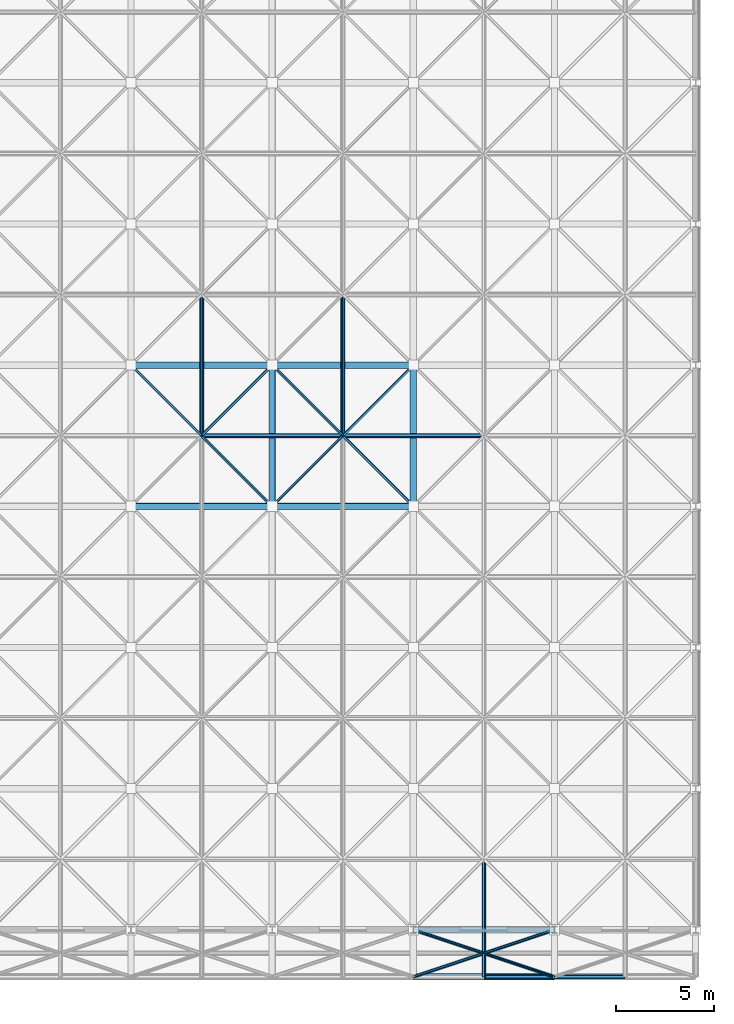
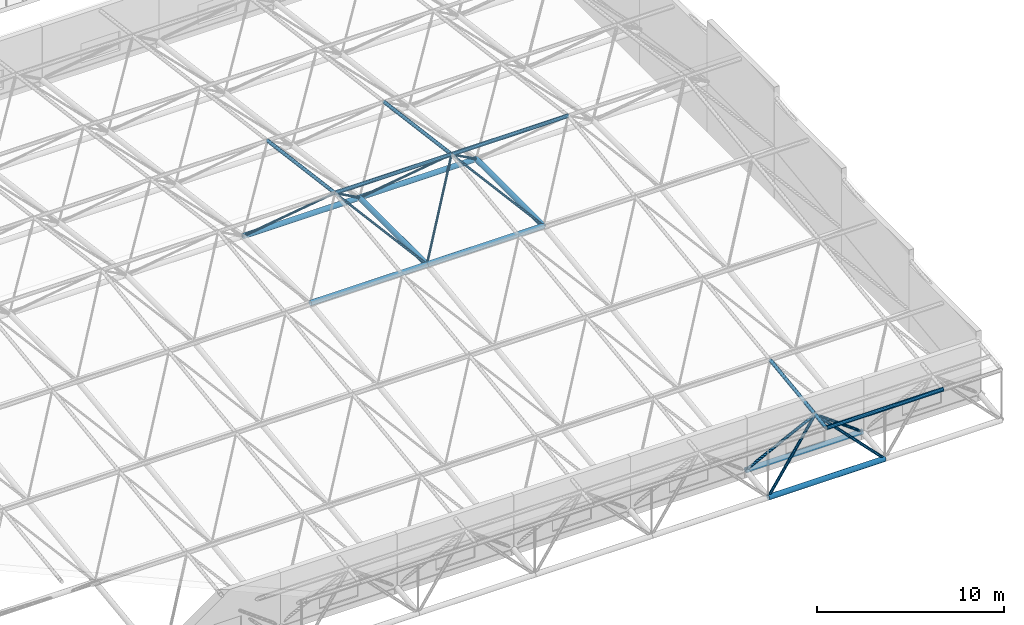
# One storey, part 52 of 103: 26 members.
"""IFC4 building model written with IfcOpenShell, lengths in metres."""

from ifc_helpers import new_model, si_unit, direction, frame, origin, origin_2d, place, context, subcontext, project, spatial, hollow_circle, extrude, material, material_profile, profile_set, type_object, element, save


model = new_model("IFC4")

# Units and contexts
model_context = context("Model", 3, precision=1e-05, world=origin(), true_north=direction((0.0, 1.0)))
body_context = subcontext(model_context, "Body", "Model", "MODEL_VIEW")
ifc_project = project(units=[si_unit("LENGTHUNIT", "METRE"), si_unit("AREAUNIT", "SQUARE_METRE"), si_unit("VOLUMEUNIT", "CUBIC_METRE"), si_unit("PLANEANGLEUNIT", "RADIAN"), si_unit("MASSUNIT", "GRAM", prefix="KILO")], contexts=[model_context])

# Site, building, storey
site_placement = place(None, origin())
site = spatial("IfcSite", under=ifc_project, at=site_placement, CompositionType="ELEMENT")
building_placement = place(site_placement, origin())
building = spatial("IfcBuilding", under=site, at=building_placement, Name="Thalmaran Polytechnic", CompositionType="ELEMENT")
storey_placement = place(building_placement, frame((0.0, 0.0, 14.39990234375)))
storey = spatial("IfcBuildingStorey", under=building, at=storey_placement, Name="L03", CompositionType="ELEMENT", Elevation=14.39990234375)

# Members
ifc_material = material(Name="Steel S355", Category="steel")
ifc_material_profile_1 = material_profile(ifc_material, hollow_circle(Radius=0.161865234375, WallThickness=0.012451171875, at=origin_2d()), Name="CHS 323.9x12.5")
ifc_profile_set_1 = profile_set([ifc_material_profile_1], Name="Steel S355")
member_type_1 = type_object("IfcMemberType", Name="MB-SFC0", PredefinedType="CHORD", material=ifc_profile_set_1)
for number, where, z_axis, x_axis, name in (
    (1, (144.0, 21.60009765625, 3.223876953125), (1.0, 0.0, 0.0), (0.0, 1.0, 0.0), "Space-Frame Bottom Chord X (5,4)"),
    (2, (151.199951171875, 21.60009765625, 3.223876953125), (1.0, 0.0, 0.0), (0.0, 1.0, 0.0), "Space-Frame Bottom Chord X (6,4)"),
):
    element("IfcMember", number, at=place(storey_placement, frame(where, z_axis=z_axis, x_axis=x_axis)), inside=storey, type_object=member_type_1, Name=name, PredefinedType="CHORD", context=body_context, shape_type="SweptSolid", body=[
        extrude(hollow_circle(Radius=0.161865234375, WallThickness=0.012451171875, at=origin_2d()), origin(), (0.0, 0.0, 1.0), 7.199951171875),
    ])
member_1_placement = place(storey_placement, frame((158.39990234375, 0.0, 0.380126953125), z_axis=(1.0, 0.0, 0.0), x_axis=(0.0, 1.0, 0.0)))
element("IfcMember", 3, at=member_1_placement, inside=storey, type_object=member_type_1, Name="Space-Frame Bottom Chord X (7,1)", PredefinedType="CHORD", context=body_context, shape_type="SweptSolid", body=[
    extrude(hollow_circle(Radius=0.161865234375, WallThickness=0.012451171875, at=origin_2d()), origin(), (0.0, 0.0, 1.0), 7.2001953125),
])
ifc_material_profile_2 = material_profile(ifc_material, hollow_circle(Radius=0.122314453125, WallThickness=0.010009765625, at=origin_2d()), Name="CHS 244.5x10.0")
ifc_profile_set_2 = profile_set([ifc_material_profile_2], Name="Steel S355")
member_type_2 = type_object("IfcMemberType", Name="MB-SFC1", PredefinedType="CHORD", material=ifc_profile_set_2)
for number, where, z_axis, x_axis, name in (
    (4, (147.60009765625, 25.199951171875, 6.9677734375), (1.0, 0.0, 0.0), (0.0, 1.0, 0.0), "Space-Frame Top Chord X (6,5)"),
    (5, (154.800048828125, 25.199951171875, 6.9677734375), (1.0, 0.0, 0.0), (0.0, 1.0, 0.0), "Space-Frame Top Chord X (7,5)"),
    (6, (162.0, -2.39990234375, 3.334228515625), (1.0, 0.0, 0.0), (0.0, 1.0, 0.0), "Space-Frame Top Chord X (8,0)"),
):
    element("IfcMember", number, at=place(storey_placement, frame(where, z_axis=z_axis, x_axis=x_axis)), inside=storey, type_object=member_type_2, Name=name, PredefinedType="CHORD", context=body_context, shape_type="SweptSolid", body=[
        extrude(hollow_circle(Radius=0.122314453125, WallThickness=0.010009765625, at=origin_2d()), origin(), (0.0, 0.0, 1.0), 7.199951171875),
    ])
ifc_material_profile_3 = material_profile(ifc_material, hollow_circle(Radius=0.109619140625, WallThickness=0.010009765625, at=origin_2d()), Name="CHS 219.1x10.0")
ifc_profile_set_3 = profile_set([ifc_material_profile_3], Name="Steel S355")
member_type_3 = type_object("IfcMemberType", Name="MB-SFC2", PredefinedType="CHORD", material=ifc_profile_set_3)
for number, where, z_axis, x_axis, name in (
    (7, (147.60009765625, 25.199951171875, 6.9677734375), (0.0, 0.991442963585, -0.130540606544), (-1.0, 0.0, 0.0), "Space-Frame Top Chord Y (6,5)"),
    (8, (154.800048828125, 25.199951171875, 6.9677734375), (0.0, 0.991442963585, -0.130540606544), (-1.0, 0.0, 0.0), "Space-Frame Top Chord Y (7,5)"),
):
    element("IfcMember", number, at=place(storey_placement, frame(where, z_axis=z_axis, x_axis=x_axis)), inside=storey, type_object=member_type_3, Name=name, PredefinedType="CHORD", context=body_context, shape_type="SweptSolid", body=[
        extrude(hollow_circle(Radius=0.109619140625, WallThickness=0.010009765625, at=origin_2d()), origin(), (0.0, 0.0, 1.0), 7.26220703125),
    ])
member_2_placement = place(storey_placement, frame((162.0, -2.39990234375, 3.334228515625), z_axis=(0.0, 0.99144674145, 0.130511910828), x_axis=(-1.0, 0.0, 0.0)))
element("IfcMember", 9, at=member_2_placement, inside=storey, type_object=member_type_3, Name="Space-Frame Top Chord Y (8,0)", PredefinedType="CHORD", context=body_context, shape_type="SweptSolid", body=[
    extrude(hollow_circle(Radius=0.109619140625, WallThickness=0.010009765625, at=origin_2d()), origin(), (0.0, 0.0, 1.0), 1.210205078125),
])
member_3_placement = place(storey_placement, frame((162.0, -1.199951171875, 3.4921875), z_axis=(0.0, 0.991447600372, 0.130505385777), x_axis=(-1.0, 0.0, 0.0)))
element("IfcMember", 10, at=member_3_placement, inside=storey, type_object=member_type_3, Name="Space-Frame Top Chord Y (8,1)", PredefinedType="CHORD", context=body_context, shape_type="SweptSolid", body=[
    extrude(hollow_circle(Radius=0.109619140625, WallThickness=0.010009765625, at=origin_2d()), origin(), (0.0, 0.0, 1.0), 4.841552734375),
])
ifc_material_profile_4 = material_profile(ifc_material, hollow_circle(Radius=0.161865234375, WallThickness=0.012451171875, at=origin_2d()), Name="CHS 323.9x12.5")
ifc_profile_set_4 = profile_set([ifc_material_profile_4], Name="Steel S355")
member_type_4 = type_object("IfcMemberType", Name="MB-SFC4", PredefinedType="CHORD", material=ifc_profile_set_4)
for number, where, z_axis, x_axis, name in (
    (11, (144.0, 28.800048828125, 3.223876953125), (1.0, 0.0, 0.0), (0.0, 1.0, 0.0), "Space-Frame Bottom Chord X (5,5)"),
    (12, (151.199951171875, 21.60009765625, 3.223876953125), (0.0, 1.0, 0.0), (-1.0, 0.0, 0.0), "Space-Frame Bottom Chord Y (6,4)"),
    (13, (151.199951171875, 28.800048828125, 3.223876953125), (1.0, 0.0, 0.0), (0.0, 1.0, 0.0), "Space-Frame Bottom Chord X (6,5)"),
):
    element("IfcMember", number, at=place(storey_placement, frame(where, z_axis=z_axis, x_axis=x_axis)), inside=storey, type_object=member_type_4, Name=name, PredefinedType="CHORD", context=body_context, shape_type="SweptSolid", body=[
        extrude(hollow_circle(Radius=0.161865234375, WallThickness=0.012451171875, at=origin_2d()), origin(), (0.0, 0.0, 1.0), 7.199951171875),
    ])
member_4_placement = place(storey_placement, frame((158.39990234375, -2.39990234375, 0.064208984375), z_axis=(1.0, 0.0, 0.0), x_axis=(0.0, 1.0, 0.0)))
element("IfcMember", 14, at=member_4_placement, inside=storey, type_object=member_type_4, Name="Space-Frame Bottom Chord X (7,0)", PredefinedType="CHORD", context=body_context, shape_type="SweptSolid", body=[
    extrude(hollow_circle(Radius=0.161865234375, WallThickness=0.012451171875, at=origin_2d()), origin(), (0.0, 0.0, 1.0), 7.2001953125),
])
member_5_placement = place(storey_placement, frame((158.39990234375, 21.60009765625, 3.223876953125), z_axis=(0.0, 1.0, 0.0), x_axis=(-1.0, 0.0, 0.0)))
element("IfcMember", 15, at=member_5_placement, inside=storey, type_object=member_type_4, Name="Space-Frame Bottom Chord Y (7,4)", PredefinedType="CHORD", context=body_context, shape_type="SweptSolid", body=[
    extrude(hollow_circle(Radius=0.161865234375, WallThickness=0.012451171875, at=origin_2d()), origin(), (0.0, 0.0, 1.0), 7.199951171875),
])
ifc_material_profile_5 = material_profile(ifc_material, hollow_circle(Radius=0.084228515625, WallThickness=0.008056640625, at=origin_2d()), Name="CHS 168.3x8.0")
ifc_profile_set_5 = profile_set([ifc_material_profile_5], Name="Steel S355")
member_type_5 = type_object("IfcMemberType", Name="MB-SFD1", PredefinedType="BRACE", material=ifc_profile_set_5)
for number, where, z_axis, x_axis, name in (
    (16, (158.39990234375, -2.39990234375, 0.064208984375), (0.703987521352, 0.234646593479, 0.670330176815), (-0.316208465333, 0.948689731394, 0.0), "Space-Frame Web Diagonal (7,0)-1"),
    (17, (165.60009765625, -2.39990234375, 0.064208984375), (-0.703987521352, 0.234646593479, 0.670330176815), (-0.316208465333, -0.948689731394, 0.0), "Space-Frame Web Diagonal (7,0)-2"),
):
    element("IfcMember", number, at=place(storey_placement, frame(where, z_axis=z_axis, x_axis=x_axis)), inside=storey, type_object=member_type_5, Name=name, PredefinedType="BRACE", context=body_context, shape_type="SweptSolid", body=[
        extrude(hollow_circle(Radius=0.084228515625, WallThickness=0.008056640625, at=origin_2d()), origin(), (0.0, 0.0, 1.0), 5.11376953125),
    ])
for number, where, z_axis, x_axis, name in (
    (18, (158.39990234375, 0.0, 0.380126953125), (0.733561258825, -0.244503837456, 0.634118090753), (0.316208465333, 0.948689731394, 0.0), "Space-Frame Web Diagonal (7,0)-3"),
    (19, (165.60009765625, 0.0, 0.380126953125), (-0.733561258825, -0.244503837456, 0.634118090753), (0.316208465333, -0.948689731394, 0.0), "Space-Frame Web Diagonal (7,0)-4"),
):
    element("IfcMember", number, at=place(storey_placement, frame(where, z_axis=z_axis, x_axis=x_axis)), inside=storey, type_object=member_type_5, Name=name, PredefinedType="BRACE", context=body_context, shape_type="SweptSolid", body=[
        extrude(hollow_circle(Radius=0.084228515625, WallThickness=0.008056640625, at=origin_2d()), origin(), (0.0, 0.0, 1.0), 4.90771484375),
    ])
ifc_material_profile_6 = material_profile(ifc_material, hollow_circle(Radius=0.06982421875, WallThickness=0.008056640625, at=origin_2d()), Name="CHS 139.7x8.0")
ifc_profile_set_6 = profile_set([ifc_material_profile_6], Name="Steel S355")
member_type_6 = type_object("IfcMemberType", Name="MB-SFD2", PredefinedType="BRACE", material=ifc_profile_set_6)
member_6_placement = place(storey_placement, frame((151.199951171875, 21.60009765625, 3.223876953125), z_axis=(-0.569652331509, 0.569652331509, 0.592446151488), x_axis=(-0.707106781187, -0.707106781187, 0.0)))
element("IfcMember", 20, at=member_6_placement, inside=storey, type_object=member_type_6, Name="Space-Frame Web Diagonal (5,4)-2", PredefinedType="BRACE", context=body_context, shape_type="SweptSolid", body=[
    extrude(hollow_circle(Radius=0.06982421875, WallThickness=0.008056640625, at=origin_2d()), origin(), (0.0, 0.0, 1.0), 6.3193359375),
])
for number, where, z_axis, x_axis, name in (
    (21, (144.0, 28.800048828125, 3.223876953125), (0.569665890713, -0.569665890713, 0.592420075552), (0.707106781187, 0.707106781187, 0.0), "Space-Frame Web Diagonal (5,4)-3"),
    (22, (151.199951171875, 28.800048828125, 3.223876953125), (-0.569639794751, -0.569678427494, 0.592433113089), (0.707130757816, -0.707082803744, 0.0), "Space-Frame Web Diagonal (5,4)-4"),
    (23, (151.199951171875, 21.60009765625, 3.223876953125), (0.569678427494, 0.569639794751, 0.592433113089), (-0.707082803744, 0.707130757816, 0.0), "Space-Frame Web Diagonal (6,4)-1"),
):
    element("IfcMember", number, at=place(storey_placement, frame(where, z_axis=z_axis, x_axis=x_axis)), inside=storey, type_object=member_type_6, Name=name, PredefinedType="BRACE", context=body_context, shape_type="SweptSolid", body=[
        extrude(hollow_circle(Radius=0.06982421875, WallThickness=0.008056640625, at=origin_2d()), origin(), (0.0, 0.0, 1.0), 6.319580078125),
    ])
member_7_placement = place(storey_placement, frame((158.39990234375, 21.60009765625, 3.223876953125), z_axis=(-0.569652331509, 0.569652331509, 0.592446151488), x_axis=(-0.707106781187, -0.707106781187, 0.0)))
element("IfcMember", 24, at=member_7_placement, inside=storey, type_object=member_type_6, Name="Space-Frame Web Diagonal (6,4)-2", PredefinedType="BRACE", context=body_context, shape_type="SweptSolid", body=[
    extrude(hollow_circle(Radius=0.06982421875, WallThickness=0.008056640625, at=origin_2d()), origin(), (0.0, 0.0, 1.0), 6.3193359375),
])
for number, where, z_axis, x_axis, name in (
    (25, (151.199951171875, 28.800048828125, 3.223876953125), (0.569665890713, -0.569665890713, 0.592420075552), (0.707106781187, 0.707106781187, 0.0), "Space-Frame Web Diagonal (6,4)-3"),
    (26, (158.39990234375, 28.800048828125, 3.223876953125), (-0.569639794751, -0.569678427494, 0.592433113089), (0.707130757816, -0.707082803744, 0.0), "Space-Frame Web Diagonal (6,4)-4"),
):
    element("IfcMember", number, at=place(storey_placement, frame(where, z_axis=z_axis, x_axis=x_axis)), inside=storey, type_object=member_type_6, Name=name, PredefinedType="BRACE", context=body_context, shape_type="SweptSolid", body=[
        extrude(hollow_circle(Radius=0.06982421875, WallThickness=0.008056640625, at=origin_2d()), origin(), (0.0, 0.0, 1.0), 6.319580078125),
    ])

save(model, "model.ifc")
